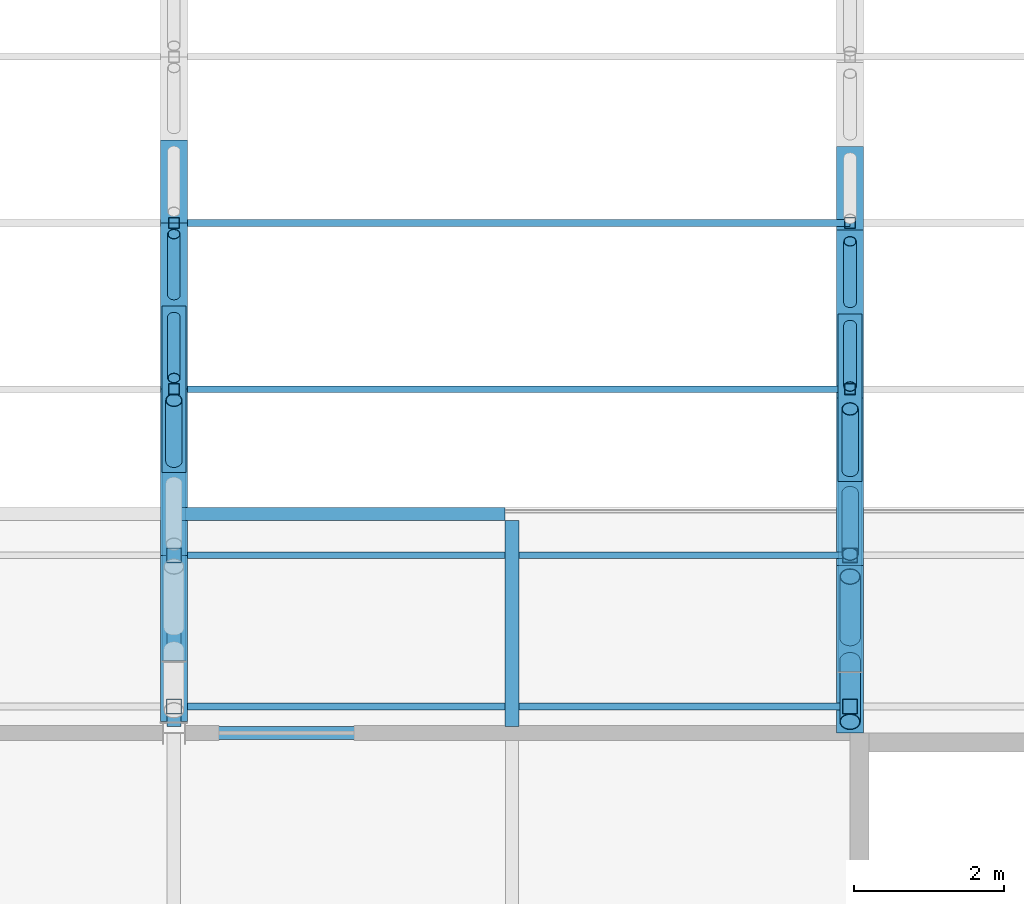
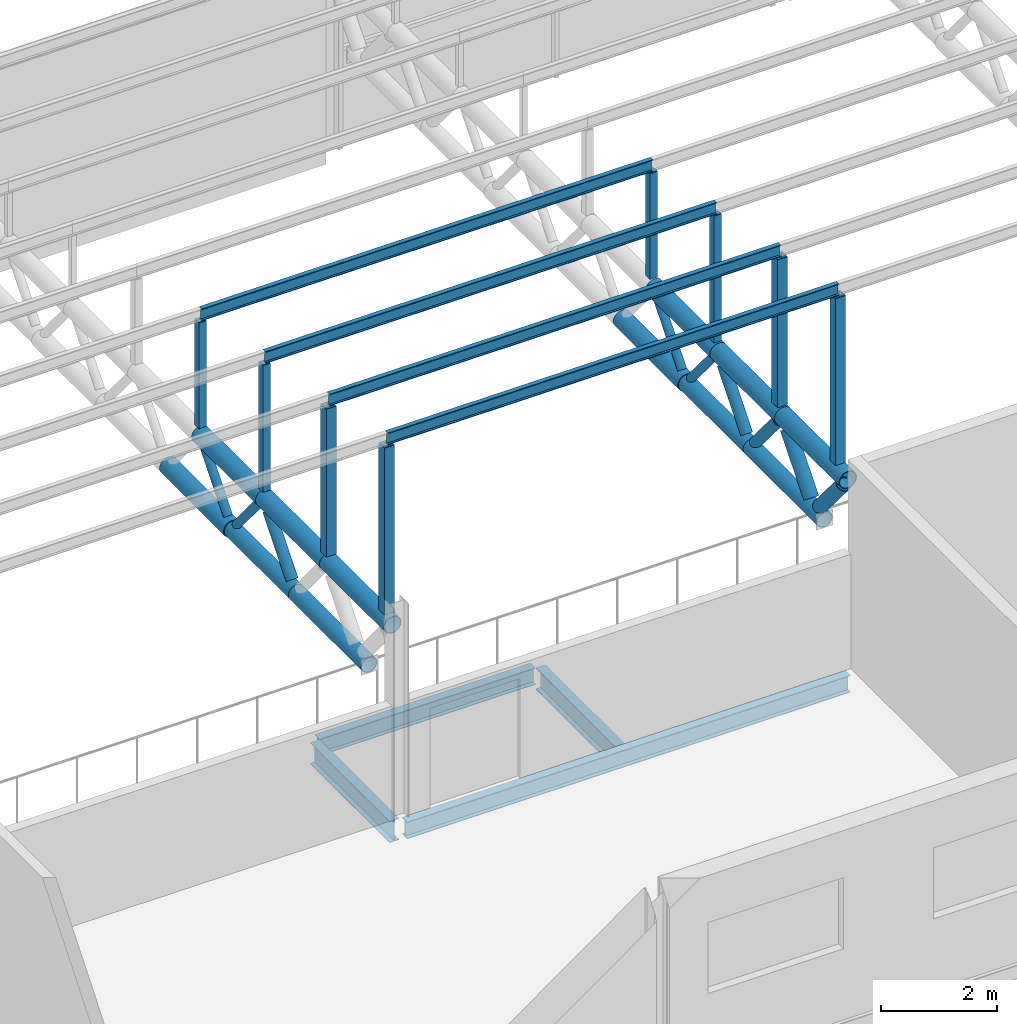
# One storey, part 33 of 138: 33 members, 4 beams.
"""IFC4 building model written with IfcOpenShell, lengths in metres."""

from ifc_helpers import new_model, si_unit, direction, frame, origin, origin_2d, place, context, subcontext, project, spatial, hollow_rectangle, hollow_circle, i_section, extrude, material, material_profile, profile_set, type_object, element, save


model = new_model("IFC4")

# Units and contexts
model_context = context("Model", 3, precision=1e-05, world=origin(), true_north=direction((0.0, 1.0)))
body_context = subcontext(model_context, "Body", "Model", "MODEL_VIEW")
ifc_project = project(units=[si_unit("LENGTHUNIT", "METRE"), si_unit("AREAUNIT", "SQUARE_METRE"), si_unit("VOLUMEUNIT", "CUBIC_METRE"), si_unit("PLANEANGLEUNIT", "RADIAN"), si_unit("MASSUNIT", "GRAM", prefix="KILO")], contexts=[model_context])

# Site, building, storey
site_placement = place(None, origin())
site = spatial("IfcSite", under=ifc_project, at=site_placement, CompositionType="ELEMENT")
building_placement = place(site_placement, origin())
building = spatial("IfcBuilding", under=site, at=building_placement, Name="Corbel Yard City Hall", CompositionType="ELEMENT")
storey_placement = place(building_placement, frame((0.0, 0.0, 10.5)))
storey = spatial("IfcBuildingStorey", under=building, at=storey_placement, Name="L02", CompositionType="ELEMENT", Elevation=10.5)

# Beams
ifc_material_1 = material(Name="Steel Grade 300 (300 MPa yield)", Category="steel")
ifc_material_profile_1 = material_profile(ifc_material_1, i_section(OverallWidth=0.172119140625, OverallDepth=0.35888671875, WebThickness=0.008056640625, FlangeThickness=0.012939453125, at=origin_2d()), Name="360UB56.7")
ifc_profile_set_1 = profile_set([ifc_material_profile_1], Name="Steel Grade 300 (300 MPa yield)")
beam_type_1 = type_object("IfcBeamType", Name="Edge beam 360UB56.7", PredefinedType="BEAM", material=ifc_profile_set_1)
beam_1_placement = place(storey_placement, frame((36.157470703125, 9.0, -0.32958984375), z_axis=(1.0, 0.0, 0.0), x_axis=(0.0, 1.0, 0.0)))
element("IfcBeam", 1, at=beam_1_placement, inside=storey, type_object=beam_type_1, Name="Edge beam 360UB56.7 EB4 L02floor", PredefinedType="BEAM", context=body_context, shape_type="SweptSolid", body=[
    extrude(i_section(OverallWidth=0.172119140625, OverallDepth=0.35888671875, WebThickness=0.008056640625, FlangeThickness=0.012939453125, at=origin_2d()), origin(), (0.0, 0.0, 1.0), 8.842529296875),
])
ifc_material_profile_2 = material_profile(ifc_material_1, i_section(OverallWidth=0.18994140625, OverallDepth=0.4541015625, WebThickness=0.008544921875, FlangeThickness=0.0126953125, at=origin_2d()), Name="460UB67.1")
ifc_profile_set_2 = profile_set([ifc_material_profile_2], Name="Steel Grade 300 (300 MPa yield)")
beam_type_2 = type_object("IfcBeamType", Name="Gallery bracket 460UB67.1", PredefinedType="BEAM", material=ifc_profile_set_2)
for number, where, z_axis, x_axis, name in (
    (2, (36.0, 9.0859375, -0.376953125), (0.0, 1.0, 0.0), (-1.0, 0.0, 0.0), "Gallery bracket 460UB67.1 CB2 L02"),
    (3, (40.5, 9.0859375, -0.376953125), (0.0, 1.0, 0.0), (-1.0, 0.0, 0.0), "Gallery bracket 460UB67.1 CB2 L02"),
):
    element("IfcBeam", number, at=place(storey_placement, frame(where, z_axis=z_axis, x_axis=x_axis)), inside=storey, type_object=beam_type_2, Name=name, PredefinedType="BEAM", context=body_context, shape_type="SweptSolid", body=[
        extrude(i_section(OverallWidth=0.18994140625, OverallDepth=0.4541015625, WebThickness=0.008544921875, FlangeThickness=0.0126953125, at=origin_2d()), origin(), (0.0, 0.0, 1.0), 2.7431640625),
    ])
ifc_material_profile_3 = material_profile(ifc_material_1, i_section(OverallWidth=0.1708984375, OverallDepth=0.35205078125, WebThickness=0.0068359375, FlangeThickness=0.009765625, at=origin_2d()), Name="360UB44.7")
ifc_profile_set_3 = profile_set([ifc_material_profile_3], Name="Steel Grade 300 (300 MPa yield)")
beam_type_3 = type_object("IfcBeamType", Name="Gallery edge beam 360UB44.7", PredefinedType="BEAM", material=ifc_profile_set_3)
beam_2_placement = place(storey_placement, frame((36.094970703125, 11.91455078125, -0.325927734375), z_axis=(1.0, 0.0, 0.0), x_axis=(0.0, 1.0, 0.0)))
element("IfcBeam", 4, at=beam_2_placement, inside=storey, type_object=beam_type_3, Name="Gallery edge beam 360UB44.7 EB13 L02", PredefinedType="BEAM", context=body_context, shape_type="SweptSolid", body=[
    extrude(i_section(OverallWidth=0.1708984375, OverallDepth=0.35205078125, WebThickness=0.0068359375, FlangeThickness=0.009765625, at=origin_2d()), origin(), (0.0, 0.0, 1.0), 4.31005859375),
])

# Members
ifc_material_2 = material(Name="Steel Grade C350L0", Category="steel")
ifc_material_profile_4 = material_profile(ifc_material_2, hollow_circle(Radius=0.161865234375, WallThickness=0.0126953125, at=origin_2d()), Name="323.9x12.7CHS")
ifc_profile_set_4 = profile_set([ifc_material_profile_4], Name="Steel Grade C350L0")
member_type_1 = type_object("IfcMemberType", Name="Hall roof truss bottom chord 323.9x12.7CHS", PredefinedType="CHORD", material=ifc_profile_set_4)
member_1_placement = place(storey_placement, frame((36.0, 9.95849609375, 2.59228515625), z_axis=(0.0, 1.0, 0.0), x_axis=(-1.0, 0.0, 0.0)))
element("IfcMember", 5, at=member_1_placement, inside=storey, type_object=member_type_1, Name="Hall roof truss bottom chord 323.9x12.7CHS TC2", PredefinedType="CHORD", context=body_context, shape_type="SweptSolid", body=[
    extrude(hollow_circle(Radius=0.161865234375, WallThickness=0.0126953125, at=origin_2d()), origin(), (0.0, 0.0, 1.0), 2.51171875),
])
member_2_placement = place(storey_placement, frame((36.0, 12.47021484375, 2.59228515625), z_axis=(0.0, 1.0, 0.0), x_axis=(-1.0, 0.0, 0.0)))
element("IfcMember", 6, at=member_2_placement, inside=storey, type_object=member_type_1, Name="Hall roof truss bottom chord 323.9x12.7CHS TC2", PredefinedType="CHORD", context=body_context, shape_type="SweptSolid", body=[
    extrude(hollow_circle(Radius=0.161865234375, WallThickness=0.0126953125, at=origin_2d()), origin(), (0.0, 0.0, 1.0), 2.2119140625),
])
member_3_placement = place(storey_placement, frame((45.0, 9.8154296875, 2.59228515625), z_axis=(0.0, 1.0, 0.0), x_axis=(-1.0, 0.0, 0.0)))
element("IfcMember", 7, at=member_3_placement, inside=storey, type_object=member_type_1, Name="Hall roof truss bottom chord 323.9x12.7CHS TC2", PredefinedType="CHORD", context=body_context, shape_type="SweptSolid", body=[
    extrude(hollow_circle(Radius=0.161865234375, WallThickness=0.0126953125, at=origin_2d()), origin(), (0.0, 0.0, 1.0), 2.531005859375),
])
member_4_placement = place(storey_placement, frame((45.0, 12.346435546875, 2.59228515625), z_axis=(0.0, 1.0, 0.0), x_axis=(-1.0, 0.0, 0.0)))
element("IfcMember", 8, at=member_4_placement, inside=storey, type_object=member_type_1, Name="Hall roof truss bottom chord 323.9x12.7CHS TC2", PredefinedType="CHORD", context=body_context, shape_type="SweptSolid", body=[
    extrude(hollow_circle(Radius=0.161865234375, WallThickness=0.0126953125, at=origin_2d()), origin(), (0.0, 0.0, 1.0), 2.23095703125),
])
ifc_material_profile_5 = material_profile(ifc_material_2, hollow_circle(Radius=0.177734375, WallThickness=0.0126953125, at=origin_2d()), Name="355.6x12.7CHS")
ifc_profile_set_5 = profile_set([ifc_material_profile_5], Name="Steel Grade C350L0")
member_type_2 = type_object("IfcMemberType", Name="Hall roof truss bottom chord 355.6x12.7CHS", PredefinedType="CHORD", material=ifc_profile_set_5)
member_5_placement = place(storey_placement, frame((36.0, 14.68212890625, 2.59228515625), z_axis=(0.0, 1.0, 0.0), x_axis=(-1.0, 0.0, 0.0)))
element("IfcMember", 9, at=member_5_placement, inside=storey, type_object=member_type_2, Name="Hall roof truss bottom chord 355.6x12.7CHS TC3", PredefinedType="CHORD", context=body_context, shape_type="SweptSolid", body=[
    extrude(hollow_circle(Radius=0.177734375, WallThickness=0.0126953125, at=origin_2d()), origin(), (0.0, 0.0, 1.0), 2.2119140625),
])
member_6_placement = place(storey_placement, frame((45.0, 14.577392578125, 2.59228515625), z_axis=(0.0, 1.0, 0.0), x_axis=(-1.0, 0.0, 0.0)))
element("IfcMember", 10, at=member_6_placement, inside=storey, type_object=member_type_2, Name="Hall roof truss bottom chord 355.6x12.7CHS TC3", PredefinedType="CHORD", context=body_context, shape_type="SweptSolid", body=[
    extrude(hollow_circle(Radius=0.177734375, WallThickness=0.0126953125, at=origin_2d()), origin(), (0.0, 0.0, 1.0), 2.23095703125),
])
ifc_material_profile_6 = material_profile(ifc_material_2, hollow_circle(Radius=0.084228515625, WallThickness=0.007080078125, at=origin_2d()), Name="168.3x7.1CHS")
ifc_profile_set_6 = profile_set([ifc_material_profile_6], Name="Steel Grade C350L0")
member_type_3 = type_object("IfcMemberType", Name="Hall roof truss diagonal 168.3x7.1CHS", PredefinedType="STRUT", material=ifc_profile_set_6)
for number, where, z_axis, x_axis, name in (
    (11, (36.0, 13.72412109375, 3.744384765625), (0.0, 0.639407153698, -0.768868318894), (-1.0, 0.0, 0.0), "Hall roof truss diagonal 168.3x7.1CHS TD3"),
    (12, (36.0, 14.830078125, 2.77001953125), (0.0, 0.639407153698, 0.768868318894), (-1.0, 0.0, 0.0), "Hall roof truss diagonal 168.3x7.1CHS TD3"),
):
    element("IfcMember", number, at=place(storey_placement, frame(where, z_axis=z_axis, x_axis=x_axis)), inside=storey, type_object=member_type_3, Name=name, PredefinedType="STRUT", context=body_context, shape_type="SweptSolid", body=[
        extrude(hollow_circle(Radius=0.084228515625, WallThickness=0.007080078125, at=origin_2d()), origin(), (0.0, 0.0, 1.0), 1.267333984375),
    ])
for number, where, z_axis, x_axis, name in (
    (13, (45.0, 13.611083984375, 3.744384765625), (0.0, 0.64257954038, -0.766218985855), (-1.0, 0.0, 0.0), "Hall roof truss diagonal 168.3x7.1CHS TD3"),
    (14, (45.0, 14.7265625, 2.77001953125), (0.0, 0.64257954038, 0.766218985855), (-1.0, 0.0, 0.0), "Hall roof truss diagonal 168.3x7.1CHS TD3"),
):
    element("IfcMember", number, at=place(storey_placement, frame(where, z_axis=z_axis, x_axis=x_axis)), inside=storey, type_object=member_type_3, Name=name, PredefinedType="STRUT", context=body_context, shape_type="SweptSolid", body=[
        extrude(hollow_circle(Radius=0.084228515625, WallThickness=0.007080078125, at=origin_2d()), origin(), (0.0, 0.0, 1.0), 1.271728515625),
    ])
ifc_material_profile_7 = material_profile(ifc_material_2, hollow_circle(Radius=0.109619140625, WallThickness=0.00830078125, at=origin_2d()), Name="219.1x8.2CHS")
ifc_profile_set_7 = profile_set([ifc_material_profile_7], Name="Steel Grade C350L0")
member_type_4 = type_object("IfcMemberType", Name="Hall roof truss diagonal 219.1x8.2CHS", PredefinedType="STRUT", material=ifc_profile_set_7)
member_7_placement = place(storey_placement, frame((36.0, 12.6181640625, 2.77001953125), z_axis=(0.0, 0.639407153698, 0.768868318894), x_axis=(-1.0, 0.0, 0.0)))
element("IfcMember", 15, at=member_7_placement, inside=storey, type_object=member_type_4, Name="Hall roof truss diagonal 219.1x8.2CHS TD2", PredefinedType="STRUT", context=body_context, shape_type="SweptSolid", body=[
    extrude(hollow_circle(Radius=0.109619140625, WallThickness=0.00830078125, at=origin_2d()), origin(), (0.0, 0.0, 1.0), 1.267333984375),
])
for number, where, z_axis, x_axis, name in (
    (16, (45.0, 11.380126953125, 3.744384765625), (0.0, 0.64257954038, -0.766218985855), (-1.0, 0.0, 0.0), "Hall roof truss diagonal 219.1x8.2CHS TD2"),
    (17, (45.0, 12.49560546875, 2.77001953125), (0.0, 0.64257954038, 0.766218985855), (-1.0, 0.0, 0.0), "Hall roof truss diagonal 219.1x8.2CHS TD2"),
):
    element("IfcMember", number, at=place(storey_placement, frame(where, z_axis=z_axis, x_axis=x_axis)), inside=storey, type_object=member_type_4, Name=name, PredefinedType="STRUT", context=body_context, shape_type="SweptSolid", body=[
        extrude(hollow_circle(Radius=0.109619140625, WallThickness=0.00830078125, at=origin_2d()), origin(), (0.0, 0.0, 1.0), 1.271728515625),
    ])
ifc_material_profile_8 = material_profile(ifc_material_2, hollow_circle(Radius=0.136474609375, WallThickness=0.00927734375, at=origin_2d()), Name="273.1x9.3CHS")
ifc_profile_set_8 = profile_set([ifc_material_profile_8], Name="Steel Grade C350L0")
member_type_5 = type_object("IfcMemberType", Name="Hall roof truss diagonal 273.1x9.3CHS", PredefinedType="STRUT", material=ifc_profile_set_8)
for number, where, z_axis, x_axis, name in (
    (18, (45.0, 9.149169921875, 3.744384765625), (0.0, 0.64257954038, -0.766218985855), (-1.0, 0.0, 0.0), "Hall roof truss diagonal 273.1x9.3CHS TD1"),
    (19, (45.0, 10.2646484375, 2.77001953125), (0.0, 0.64257954038, 0.766218985855), (-1.0, 0.0, 0.0), "Hall roof truss diagonal 273.1x9.3CHS TD1"),
):
    element("IfcMember", number, at=place(storey_placement, frame(where, z_axis=z_axis, x_axis=x_axis)), inside=storey, type_object=member_type_5, Name=name, PredefinedType="STRUT", context=body_context, shape_type="SweptSolid", body=[
        extrude(hollow_circle(Radius=0.136474609375, WallThickness=0.00927734375, at=origin_2d()), origin(), (0.0, 0.0, 1.0), 1.271728515625),
    ])
ifc_material_profile_9 = material_profile(ifc_material_2, hollow_circle(Radius=0.177734375, WallThickness=0.0126953125, at=origin_2d()), Name="355.6x12.7CHS")
ifc_profile_set_9 = profile_set([ifc_material_profile_9], Name="Steel Grade C350L0")
member_type_6 = type_object("IfcMemberType", Name="Hall roof truss top chord 355.6x12.7CHS", PredefinedType="CHORD", material=ifc_profile_set_9)
member_8_placement = place(storey_placement, frame((36.0, 9.152587890625, 3.922119140625), z_axis=(0.0, 1.0, 0.0), x_axis=(-1.0, 0.0, 0.0)))
element("IfcMember", 20, at=member_8_placement, inside=storey, type_object=member_type_6, Name="Hall roof truss top chord 355.6x12.7CHS TC1", PredefinedType="CHORD", context=body_context, shape_type="SweptSolid", body=[
    extrude(hollow_circle(Radius=0.177734375, WallThickness=0.0126953125, at=origin_2d()), origin(), (0.0, 0.0, 1.0), 2.211669921875),
])
for number, where, z_axis, x_axis, name in (
    (21, (36.0, 11.3642578125, 3.922119140625), (0.0, 1.0, 0.0), (-1.0, 0.0, 0.0), "Hall roof truss top chord 355.6x12.7CHS TC1"),
    (22, (36.0, 13.576171875, 3.922119140625), (0.0, 1.0, 0.0), (-1.0, 0.0, 0.0), "Hall roof truss top chord 355.6x12.7CHS TC1"),
):
    element("IfcMember", number, at=place(storey_placement, frame(where, z_axis=z_axis, x_axis=x_axis)), inside=storey, type_object=member_type_6, Name=name, PredefinedType="CHORD", context=body_context, shape_type="SweptSolid", body=[
        extrude(hollow_circle(Radius=0.177734375, WallThickness=0.0126953125, at=origin_2d()), origin(), (0.0, 0.0, 1.0), 2.2119140625),
    ])
for number, where, z_axis, x_axis, name in (
    (23, (45.0, 9.0, 3.922119140625), (0.0, 1.0, 0.0), (-1.0, 0.0, 0.0), "Hall roof truss top chord 355.6x12.7CHS TC1"),
    (24, (45.0, 11.23095703125, 3.922119140625), (0.0, 1.0, 0.0), (-1.0, 0.0, 0.0), "Hall roof truss top chord 355.6x12.7CHS TC1"),
    (25, (45.0, 13.4619140625, 3.922119140625), (0.0, 1.0, 0.0), (-1.0, 0.0, 0.0), "Hall roof truss top chord 355.6x12.7CHS TC1"),
):
    element("IfcMember", number, at=place(storey_placement, frame(where, z_axis=z_axis, x_axis=x_axis)), inside=storey, type_object=member_type_6, Name=name, PredefinedType="CHORD", context=body_context, shape_type="SweptSolid", body=[
        extrude(hollow_circle(Radius=0.177734375, WallThickness=0.0126953125, at=origin_2d()), origin(), (0.0, 0.0, 1.0), 2.23095703125),
    ])
ifc_material_profile_10 = material_profile(ifc_material_1, i_section(OverallWidth=0.090087890625, OverallDepth=0.25, WebThickness=0.008056640625, FlangeThickness=0.014892578125, at=origin_2d()), Name="250PFC")
ifc_profile_set_10 = profile_set([ifc_material_profile_10], Name="Steel Grade 300 (300 MPa yield)")
member_type_7 = type_object("IfcMemberType", Name="Purlin 250PFC", PredefinedType="PURLIN", material=ifc_profile_set_10)
for number, where, z_axis, x_axis, name in (
    (26, (36.0, 9.3525390625, 7.74560546875), (1.0, 0.0, 0.0), (0.0, 1.0, 0.0), "Purlin 250PFC PU1"),
    (27, (36.0, 11.3642578125, 7.343017578125), (1.0, 0.0, 0.0), (0.0, 1.0, 0.0), "Purlin 250PFC PU1"),
    (28, (36.0, 13.576171875, 6.900634765625), (1.0, 0.0, 0.0), (0.0, 1.0, 0.0), "Purlin 250PFC PU1"),
    (29, (36.0, 15.7880859375, 6.45849609375), (1.0, 0.0, 0.0), (0.0, 1.0, 0.0), "Purlin 250PFC PU1"),
):
    element("IfcMember", number, at=place(storey_placement, frame(where, z_axis=z_axis, x_axis=x_axis)), inside=storey, type_object=member_type_7, Name=name, PredefinedType="PURLIN", context=body_context, shape_type="SweptSolid", body=[
        extrude(i_section(OverallWidth=0.090087890625, OverallDepth=0.25, WebThickness=0.008056640625, FlangeThickness=0.014892578125, at=origin_2d()), origin(), (0.0, 0.0, 1.0), 9.0),
    ])
ifc_material_3 = material(Name="Steel Grade C450L0", Category="steel")
ifc_material_profile_11 = material_profile(ifc_material_3, hollow_rectangle(XDim=0.14990234375, YDim=0.14990234375, WallThickness=0.009033203125, at=origin_2d()), Name="150x150x9.0SHS")
ifc_profile_set_11 = profile_set([ifc_material_profile_11], Name="Steel Grade C450L0")
member_type_8 = type_object("IfcMemberType", Name="Roof post 150x150x9.0SHS", PredefinedType="POST", material=ifc_profile_set_11)
member_9_placement = place(storey_placement, frame((36.0, 13.576171875, 4.10009765625), z_axis=(0.0, 0.0, 1.0), x_axis=(1.0, 0.0, 0.0)))
element("IfcMember", 30, at=member_9_placement, inside=storey, type_object=member_type_8, Name="Roof post 150x150x9.0SHS RP2", PredefinedType="POST", context=body_context, shape_type="SweptSolid", body=[
    extrude(hollow_rectangle(XDim=0.14990234375, YDim=0.14990234375, WallThickness=0.009033203125, at=origin_2d()), origin(), (0.0, 0.0, 1.0), 2.675537109375),
])
member_10_placement = place(storey_placement, frame((36.0, 15.7880859375, 4.10009765625), z_axis=(0.0, 0.0, 1.0), x_axis=(1.0, 0.0, 0.0)))
element("IfcMember", 31, at=member_10_placement, inside=storey, type_object=member_type_8, Name="Roof post 150x150x9.0SHS RP2", PredefinedType="POST", context=body_context, shape_type="SweptSolid", body=[
    extrude(hollow_rectangle(XDim=0.14990234375, YDim=0.14990234375, WallThickness=0.009033203125, at=origin_2d()), origin(), (0.0, 0.0, 1.0), 2.2333984375),
])
member_11_placement = place(storey_placement, frame((45.0, 13.576171875, 4.10009765625), z_axis=(0.0, 0.0, 1.0), x_axis=(1.0, 0.0, 0.0)))
element("IfcMember", 32, at=member_11_placement, inside=storey, type_object=member_type_8, Name="Roof post 150x150x9.0SHS RP2", PredefinedType="POST", context=body_context, shape_type="SweptSolid", body=[
    extrude(hollow_rectangle(XDim=0.14990234375, YDim=0.14990234375, WallThickness=0.009033203125, at=origin_2d()), origin(), (0.0, 0.0, 1.0), 2.675537109375),
])
member_12_placement = place(storey_placement, frame((45.0, 15.7880859375, 4.10009765625), z_axis=(0.0, 0.0, 1.0), x_axis=(1.0, 0.0, 0.0)))
element("IfcMember", 33, at=member_12_placement, inside=storey, type_object=member_type_8, Name="Roof post 150x150x9.0SHS RP2", PredefinedType="POST", context=body_context, shape_type="SweptSolid", body=[
    extrude(hollow_rectangle(XDim=0.14990234375, YDim=0.14990234375, WallThickness=0.009033203125, at=origin_2d()), origin(), (0.0, 0.0, 1.0), 2.2333984375),
])
ifc_material_profile_12 = material_profile(ifc_material_3, hollow_rectangle(XDim=0.199951171875, YDim=0.199951171875, WallThickness=0.009033203125, at=origin_2d()), Name="200x200x9.0SHS")
ifc_profile_set_12 = profile_set([ifc_material_profile_12], Name="Steel Grade C450L0")
member_type_9 = type_object("IfcMemberType", Name="Roof post 200x200x9.0SHS", PredefinedType="POST", material=ifc_profile_set_12)
member_13_placement = place(storey_placement, frame((36.0, 9.3525390625, 4.10009765625), z_axis=(0.0, 0.0, 1.0), x_axis=(1.0, 0.0, 0.0)))
element("IfcMember", 34, at=member_13_placement, inside=storey, type_object=member_type_9, Name="Roof post 200x200x9.0SHS RP1", PredefinedType="POST", context=body_context, shape_type="SweptSolid", body=[
    extrude(hollow_rectangle(XDim=0.199951171875, YDim=0.199951171875, WallThickness=0.009033203125, at=origin_2d()), origin(), (0.0, 0.0, 1.0), 3.5205078125),
])
member_14_placement = place(storey_placement, frame((36.0, 11.3642578125, 4.10009765625), z_axis=(0.0, 0.0, 1.0), x_axis=(1.0, 0.0, 0.0)))
element("IfcMember", 35, at=member_14_placement, inside=storey, type_object=member_type_9, Name="Roof post 200x200x9.0SHS RP1", PredefinedType="POST", context=body_context, shape_type="SweptSolid", body=[
    extrude(hollow_rectangle(XDim=0.199951171875, YDim=0.199951171875, WallThickness=0.009033203125, at=origin_2d()), origin(), (0.0, 0.0, 1.0), 3.117919921875),
])
member_15_placement = place(storey_placement, frame((45.0, 9.3525390625, 4.10009765625), z_axis=(0.0, 0.0, 1.0), x_axis=(1.0, 0.0, 0.0)))
element("IfcMember", 36, at=member_15_placement, inside=storey, type_object=member_type_9, Name="Roof post 200x200x9.0SHS RP1", PredefinedType="POST", context=body_context, shape_type="SweptSolid", body=[
    extrude(hollow_rectangle(XDim=0.199951171875, YDim=0.199951171875, WallThickness=0.009033203125, at=origin_2d()), origin(), (0.0, 0.0, 1.0), 3.5205078125),
])
member_16_placement = place(storey_placement, frame((45.0, 11.3642578125, 4.10009765625), z_axis=(0.0, 0.0, 1.0), x_axis=(1.0, 0.0, 0.0)))
element("IfcMember", 37, at=member_16_placement, inside=storey, type_object=member_type_9, Name="Roof post 200x200x9.0SHS RP1", PredefinedType="POST", context=body_context, shape_type="SweptSolid", body=[
    extrude(hollow_rectangle(XDim=0.199951171875, YDim=0.199951171875, WallThickness=0.009033203125, at=origin_2d()), origin(), (0.0, 0.0, 1.0), 3.117919921875),
])

save(model, "model.ifc")
